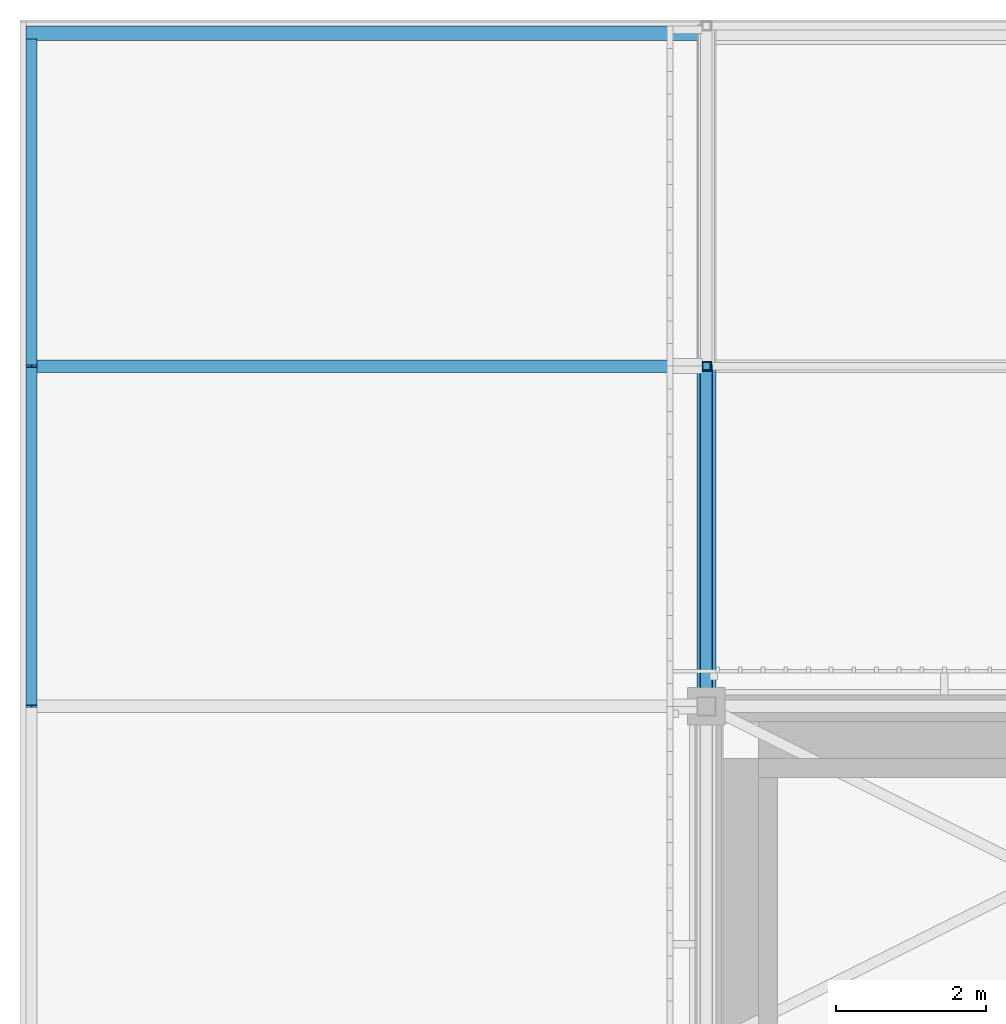
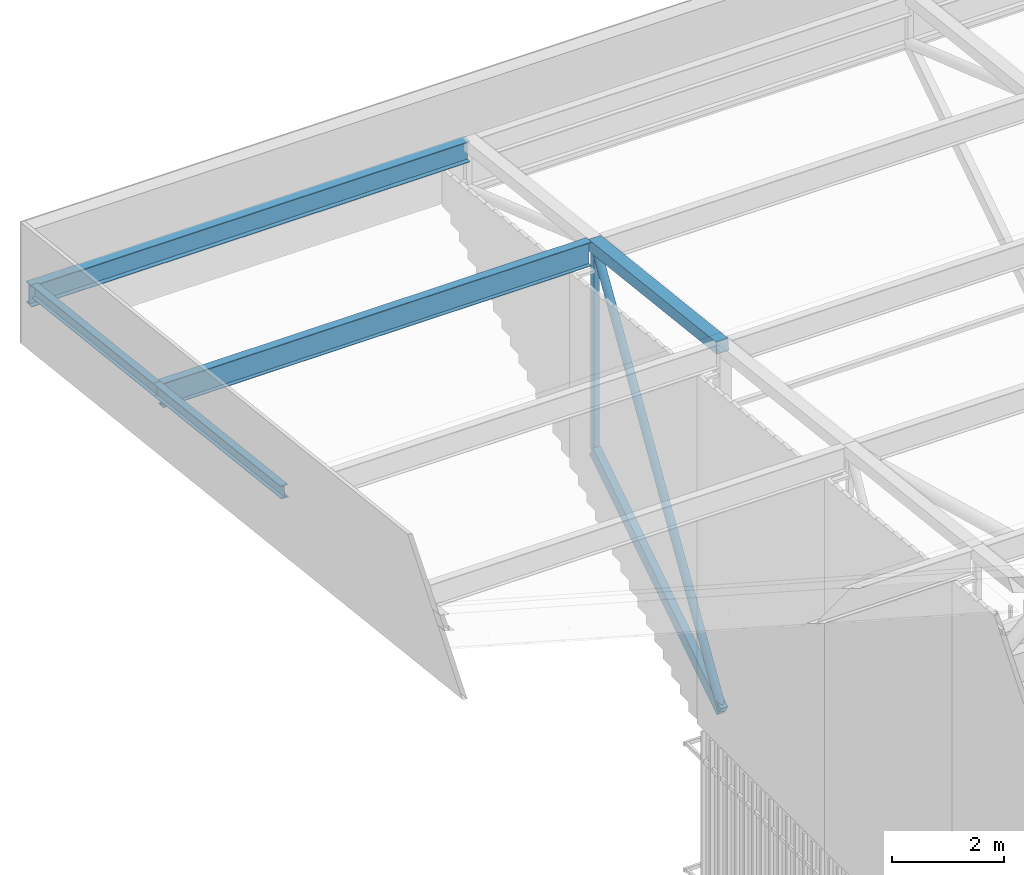
# One storey, part 229 of 500: 8 members.
"""IFC4 building model written with IfcOpenShell, lengths in metres."""

from ifc_helpers import new_model, si_unit, direction, frame, origin, origin_2d, place, context, subcontext, project, spatial, hollow_rectangle, hollow_circle, i_section, extrude, material, material_profile, profile_set, type_object, element, save


model = new_model("IFC4")

# Units and contexts
model_context = context("Model", 3, precision=1e-05, world=origin(), true_north=direction((0.0, 1.0)))
body_context = subcontext(model_context, "Body", "Model", "MODEL_VIEW")
ifc_project = project(units=[si_unit("LENGTHUNIT", "METRE"), si_unit("AREAUNIT", "SQUARE_METRE"), si_unit("VOLUMEUNIT", "CUBIC_METRE"), si_unit("PLANEANGLEUNIT", "RADIAN"), si_unit("MASSUNIT", "GRAM", prefix="KILO")], contexts=[model_context])

# Site, building, storey
site_placement = place(None, origin())
site = spatial("IfcSite", under=ifc_project, at=site_placement, CompositionType="ELEMENT")
building_placement = place(site_placement, origin())
building = spatial("IfcBuilding", under=site, at=building_placement, Name="Shirokan Park Arena", CompositionType="ELEMENT")
storey_placement = place(building_placement, frame((0.0, 0.0, 29.1201171875)))
storey = spatial("IfcBuildingStorey", under=building, at=storey_placement, Name="L06", CompositionType="ELEMENT", Elevation=29.1201171875)

# Members
ifc_material_1 = material(Name="Steel ASTM A500 Grade C", Category="steel")
ifc_material_profile_1 = material_profile(ifc_material_1, hollow_rectangle(XDim=0.152099609375, YDim=0.25390625, WallThickness=0.009521484375, at=origin_2d()), Name="HSS254X152.4X9.5")
ifc_profile_set_1 = profile_set([ifc_material_profile_1], Name="Steel ASTM A500 Grade C")
member_type_1 = type_object("IfcMemberType", Name="Bottom chord HSS254X152.4X9.5", PredefinedType="CHORD", material=ifc_profile_set_1)
member_1_placement = place(storey_placement, frame((0.0, 109.199951171875, 4.677001953125), z_axis=(0.0, 0.840971691661, 0.541079119746), x_axis=(-1.0, 0.0, 0.0)))
element("IfcMember", 1, at=member_1_placement, inside=storey, type_object=member_type_1, Name="Truss T01 bottom chord 27", PredefinedType="CHORD", context=body_context, shape_type="SweptSolid", body=[
    extrude(hollow_rectangle(XDim=0.152099609375, YDim=0.25390625, WallThickness=0.009521484375, at=origin_2d()), origin(), (0.0, 0.0, 1.0), 5.410400390625),
])
ifc_material_2 = material(Name="Steel ASTM A992", Category="steel")
ifc_material_profile_2 = material_profile(ifc_material_2, i_section(OverallWidth=0.166015625, OverallDepth=0.528076171875, WebThickness=0.009765625, FlangeThickness=0.013671875, at=origin_2d()), Name="W530X74")
ifc_profile_set_2 = profile_set([ifc_material_profile_2], Name="Steel ASTM A992")
member_type_2 = type_object("IfcMemberType", Name="Purlin W530X74", PredefinedType="PURLIN", material=ifc_profile_set_2)
member_2_placement = place(storey_placement, frame((-8.951904296875, 113.75, 11.9658203125), z_axis=(1.0, 0.0, 0.0), x_axis=(0.0, 1.0, 0.0)))
element("IfcMember", 2, at=member_2_placement, inside=storey, type_object=member_type_2, Name="Eave purlin west 28", PredefinedType="PURLIN", context=body_context, shape_type="SweptSolid", body=[
    extrude(i_section(OverallWidth=0.166015625, OverallDepth=0.528076171875, WebThickness=0.009765625, FlangeThickness=0.013671875, at=origin_2d()), origin(), (0.0, 0.0, 1.0), 8.824951171875),
])
ifc_material_profile_3 = material_profile(ifc_material_2, i_section(OverallWidth=0.14794921875, OverallDepth=0.26708984375, WebThickness=0.007568359375, FlangeThickness=0.012939453125, at=origin_2d()), Name="W250X44.8")
ifc_profile_set_3 = profile_set([ifc_material_profile_3], Name="Steel ASTM A992")
member_type_3 = type_object("IfcMemberType", Name="Roof edge beam W250X44.8", PredefinedType="USERDEFINED", material=ifc_profile_set_3)
member_3_placement = place(storey_placement, frame((-9.02587890625, 109.199951171875, 12.616455078125), z_axis=(0.0, 0.993532328996, -0.113549598152), x_axis=(-1.0, 0.0, 0.0)))
element("IfcMember", 3, at=member_3_placement, inside=storey, type_object=member_type_3, Name="Roof edge beam W 27", ObjectType="ROOF EDGE BEAM", PredefinedType="USERDEFINED", context=body_context, shape_type="SweptSolid", body=[
    extrude(i_section(OverallWidth=0.14794921875, OverallDepth=0.26708984375, WebThickness=0.007568359375, FlangeThickness=0.012939453125, at=origin_2d()), origin(), (0.0, 0.0, 1.0), 4.57958984375),
])
member_4_placement = place(storey_placement, frame((-9.02587890625, 113.75, 12.096435546875), z_axis=(0.0, 0.993529264308, -0.113576410242), x_axis=(-1.0, 0.0, 0.0)))
element("IfcMember", 4, at=member_4_placement, inside=storey, type_object=member_type_3, Name="Roof edge beam W 28", ObjectType="ROOF EDGE BEAM", PredefinedType="USERDEFINED", context=body_context, shape_type="SweptSolid", body=[
    extrude(i_section(OverallWidth=0.14794921875, OverallDepth=0.26708984375, WebThickness=0.007568359375, FlangeThickness=0.012939453125, at=origin_2d()), origin(), (0.0, 0.0, 1.0), 4.38720703125),
])
ifc_material_profile_4 = material_profile(ifc_material_2, i_section(OverallWidth=0.19091796875, OverallDepth=0.45703125, WebThickness=0.009033203125, FlangeThickness=0.014404296875, at=origin_2d()), Name="W460X74")
ifc_profile_set_4 = profile_set([ifc_material_profile_4], Name="Steel ASTM A992")
member_type_4 = type_object("IfcMemberType", Name="Roof edge beam W460X74", PredefinedType="USERDEFINED", material=ifc_profile_set_4)
member_5_placement = place(storey_placement, frame((-9.10009765625, 118.20458984375, 11.4814453125), z_axis=(1.0, 0.0, 0.0), x_axis=(0.0, 1.0, 0.0)))
element("IfcMember", 5, at=member_5_placement, inside=storey, type_object=member_type_4, Name="Roof edge beam N 1", ObjectType="ROOF EDGE BEAM", PredefinedType="USERDEFINED", context=body_context, shape_type="SweptSolid", body=[
    extrude(i_section(OverallWidth=0.19091796875, OverallDepth=0.45703125, WebThickness=0.009033203125, FlangeThickness=0.014404296875, at=origin_2d()), origin(), (0.0, 0.0, 1.0), 9.043212890625),
])
ifc_material_profile_5 = material_profile(ifc_material_1, hollow_rectangle(XDim=0.25390625, YDim=0.25390625, WallThickness=0.009521484375, at=origin_2d()), Name="HSS254X254X9.5")
ifc_profile_set_5 = profile_set([ifc_material_profile_5], Name="Steel ASTM A500 Grade C")
member_type_5 = type_object("IfcMemberType", Name="Top chord HSS254X254X9.5", PredefinedType="CHORD", material=ifc_profile_set_5)
member_6_placement = place(storey_placement, frame((0.0, 109.199951171875, 12.622802734375), z_axis=(0.0, 0.993532328996, -0.113549598152), x_axis=(-1.0, 0.0, 0.0)))
element("IfcMember", 6, at=member_6_placement, inside=storey, type_object=member_type_5, Name="Truss T01 top chord 27", PredefinedType="CHORD", context=body_context, shape_type="SweptSolid", body=[
    extrude(hollow_rectangle(XDim=0.25390625, YDim=0.25390625, WallThickness=0.009521484375, at=origin_2d()), origin(), (0.0, 0.0, 1.0), 4.57958984375),
])
ifc_material_profile_6 = material_profile(ifc_material_1, hollow_circle(Radius=0.083984375, WallThickness=0.009521484375, at=origin_2d()), Name="HSS168.3X9.5")
ifc_profile_set_6 = profile_set([ifc_material_profile_6], Name="Steel ASTM A500 Grade C")
member_type_6 = type_object("IfcMemberType", Name="Truss diagonal HSS168.3X9.5", PredefinedType="BRACE", material=ifc_profile_set_6)
member_7_placement = place(storey_placement, frame((0.0, 109.199951171875, 4.677001953125), z_axis=(0.0, 0.522458847856, 0.852664501605), x_axis=(-1.0, 0.0, 0.0)))
element("IfcMember", 7, at=member_7_placement, inside=storey, type_object=member_type_6, Name="Truss T01 diagonal 27", PredefinedType="BRACE", context=body_context, shape_type="SweptSolid", body=[
    extrude(hollow_circle(Radius=0.083984375, WallThickness=0.009521484375, at=origin_2d()), origin(), (0.0, 0.0, 1.0), 8.708984375),
])
ifc_material_profile_7 = material_profile(ifc_material_1, hollow_rectangle(XDim=0.114013671875, YDim=0.114013671875, WallThickness=0.00634765625, at=origin_2d()), Name="HSS114.3X114.3X6.4")
ifc_profile_set_7 = profile_set([ifc_material_profile_7], Name="Steel ASTM A500 Grade C")
member_type_7 = type_object("IfcMemberType", Name="Truss post HSS114.3X114.3X6.4", PredefinedType="POST", material=ifc_profile_set_7)
member_8_placement = place(storey_placement, frame((0.0, 113.75, 7.6044921875), z_axis=(0.0, 0.0, 1.0), x_axis=(1.0, 0.0, 0.0)))
element("IfcMember", 8, at=member_8_placement, inside=storey, type_object=member_type_7, Name="Truss T01 post 28", PredefinedType="POST", context=body_context, shape_type="SweptSolid", body=[
    extrude(hollow_rectangle(XDim=0.114013671875, YDim=0.114013671875, WallThickness=0.00634765625, at=origin_2d()), origin(), (0.0, 0.0, 1.0), 4.498291015625),
])

save(model, "model.ifc")
